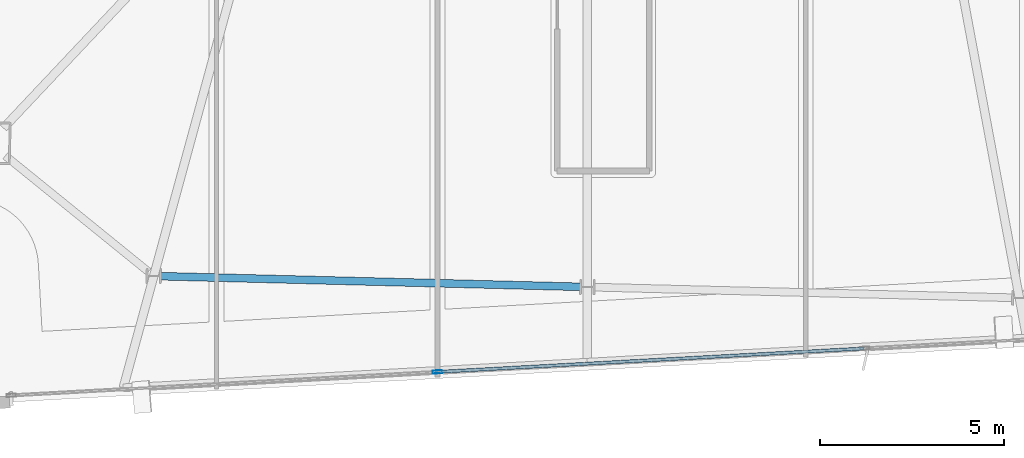
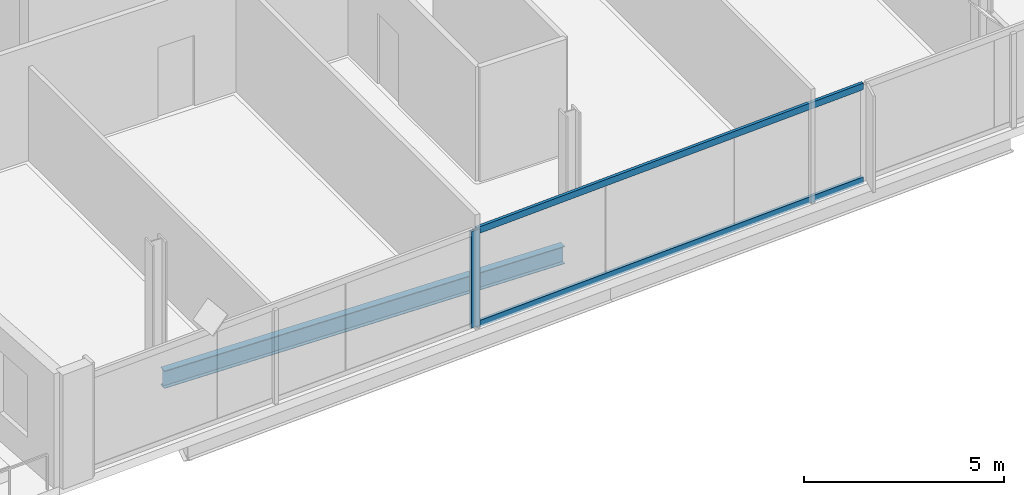
# One storey, part 4 of 23: 3 members, 1 beam, 1 element without a shape of its own.
"""IFC4 building model written with IfcOpenShell, lengths in metres."""

from ifc_helpers import new_model, si_unit, direction, frame, origin, origin_2d, place, context, subcontext, project, spatial, hollow_rectangle, i_section, extrude, material, material_profile, profile_set, type_object, element, aggregate, save


model = new_model("IFC4")

# Units and contexts
model_context = context("Model", 3, precision=1e-05, world=origin(), true_north=direction((0.0, 1.0)))
body_context = subcontext(model_context, "Body", "Model", "MODEL_VIEW")
ifc_project = project(units=[si_unit("LENGTHUNIT", "METRE"), si_unit("AREAUNIT", "SQUARE_METRE"), si_unit("VOLUMEUNIT", "CUBIC_METRE"), si_unit("PLANEANGLEUNIT", "RADIAN"), si_unit("MASSUNIT", "GRAM", prefix="KILO")], contexts=[model_context])

# Site, building, storey
site_placement = place(None, origin())
site = spatial("IfcSite", under=ifc_project, at=site_placement, CompositionType="ELEMENT")
building_placement = place(site_placement, origin())
building = spatial("IfcBuilding", under=site, at=building_placement, Name="Haldenkirk Collegiate Tower", CompositionType="ELEMENT")
storey_placement = place(building_placement, frame((0.0, 0.0, 340.199951171875)))
storey = spatial("IfcBuildingStorey", under=building, at=storey_placement, Name="L86", CompositionType="ELEMENT", Elevation=340.199951171875)

# Beam
ifc_material_1 = material(Name="Steel ASTM A992 Grade 50", Category="steel")
ifc_material_profile_1 = material_profile(ifc_material_1, i_section(OverallWidth=0.2099609375, OverallDepth=0.537109375, WebThickness=0.010986328125, FlangeThickness=0.017333984375, at=origin_2d()), Name="W21X68")
ifc_profile_set_1 = profile_set([ifc_material_profile_1], Name="Steel ASTM A992 Grade 50")
beam_type = type_object("IfcBeamType", Name="BM-SPANDREL-W21X68", PredefinedType="SPANDREL", material=ifc_profile_set_1)
beam_placement = place(storey_placement, frame((23.984375, 6.247802734375, -0.528564453125), z_axis=(0.99967950041, -0.02531593293, 0.0), x_axis=(0.02531593293, 0.99967950041, 0.0)))
element("IfcBeam", 1, at=beam_placement, inside=storey, type_object=beam_type, Name="L86 perimeter spandrel beam 14", PredefinedType="SPANDREL", context=body_context, shape_type="SweptSolid", body=[
    extrude(i_section(OverallWidth=0.2099609375, OverallDepth=0.537109375, WebThickness=0.010986328125, FlangeThickness=0.017333984375, at=origin_2d()), origin(), (0.0, 0.0, 1.0), 11.39892578125),
])

# Curtain wall, members
ifc_material_2 = material(Name="Anodised architectural bronze aluminium", Category="aluminium")
curtain_wall_type = type_object("IfcCurtainWallType", Name="CW-SYS1B-CONVEX-HI", PredefinedType="USERDEFINED", material=ifc_material_2)
curtain_wall_placement = place(storey_placement, origin())
curtain_wall = element("IfcCurtainWall", 2, at=curtain_wall_placement, inside=storey, type_object=curtain_wall_type, Name="L86 Upper tower high-wind convex bronze unitised curtain wall", ObjectType="UNITISED CURTAIN WALL", PredefinedType="USERDEFINED")
ifc_material_profile_2 = material_profile(ifc_material_2, hollow_rectangle(XDim=0.0849609375, YDim=0.25, WallThickness=0.0048828125, at=origin_2d()), Name="CW-MUL-1B")
ifc_profile_set_2 = profile_set([ifc_material_profile_2], Name="Anodised architectural bronze aluminium")
member_type_1 = type_object("IfcMemberType", Name="CW-MUL-1B", PredefinedType="MULLION", material=ifc_profile_set_2)
member_1_placement = place(storey_placement, frame((31.496337890625, 3.648681640625, 0.0), z_axis=(0.0, 0.0, 1.0), x_axis=(0.054947531961, -0.998489243173, 0.0)))
member_1 = element("IfcMember", 3, at=member_1_placement, type_object=member_type_1, Name="CW-1B mullion 3", PredefinedType="MULLION", context=body_context, shape_type="SweptSolid", body=[
    extrude(hollow_rectangle(XDim=0.0849609375, YDim=0.25, WallThickness=0.0048828125, at=origin_2d()), origin(), (0.0, 0.0, 1.0), 2.947998046875),
])
ifc_material_profile_3 = material_profile(ifc_material_2, hollow_rectangle(XDim=0.0849609375, YDim=0.199951171875, WallThickness=0.0048828125, at=origin_2d()), Name="CW-TRN-1B")
ifc_profile_set_3 = profile_set([ifc_material_profile_3], Name="Anodised architectural bronze aluminium")
member_type_2 = type_object("IfcMemberType", Name="CW-TRN-1B", PredefinedType="USERDEFINED", material=ifc_profile_set_3)
member_2_placement = place(storey_placement, frame((43.061279296875, 4.28515625, 0.04248046875), z_axis=(-0.998489507224, -0.0549427335, 0.0), x_axis=(0.0549427335, -0.998489507224, 0.0)))
member_2 = element("IfcMember", 4, at=member_2_placement, type_object=member_type_2, Name="CW-1B transom 2.1", ObjectType="TRANSOM", PredefinedType="USERDEFINED", context=body_context, shape_type="SweptSolid", body=[
    extrude(hollow_rectangle(XDim=0.0849609375, YDim=0.199951171875, WallThickness=0.0048828125, at=origin_2d()), origin(), (0.0, 0.0, 1.0), 11.539794921875),
])
member_3_placement = place(storey_placement, frame((43.061279296875, 4.28515625, 2.905517578125), z_axis=(-0.998489507224, -0.0549427335, 0.0), x_axis=(0.0549427335, -0.998489507224, 0.0)))
member_3 = element("IfcMember", 5, at=member_3_placement, type_object=member_type_2, Name="CW-1B transom 2.2", ObjectType="TRANSOM", PredefinedType="USERDEFINED", context=body_context, shape_type="SweptSolid", body=[
    extrude(hollow_rectangle(XDim=0.0849609375, YDim=0.199951171875, WallThickness=0.0048828125, at=origin_2d()), origin(), (0.0, 0.0, 1.0), 11.539794921875),
])
aggregate(curtain_wall, [member_1, member_2, member_3])

save(model, "model.ifc")
